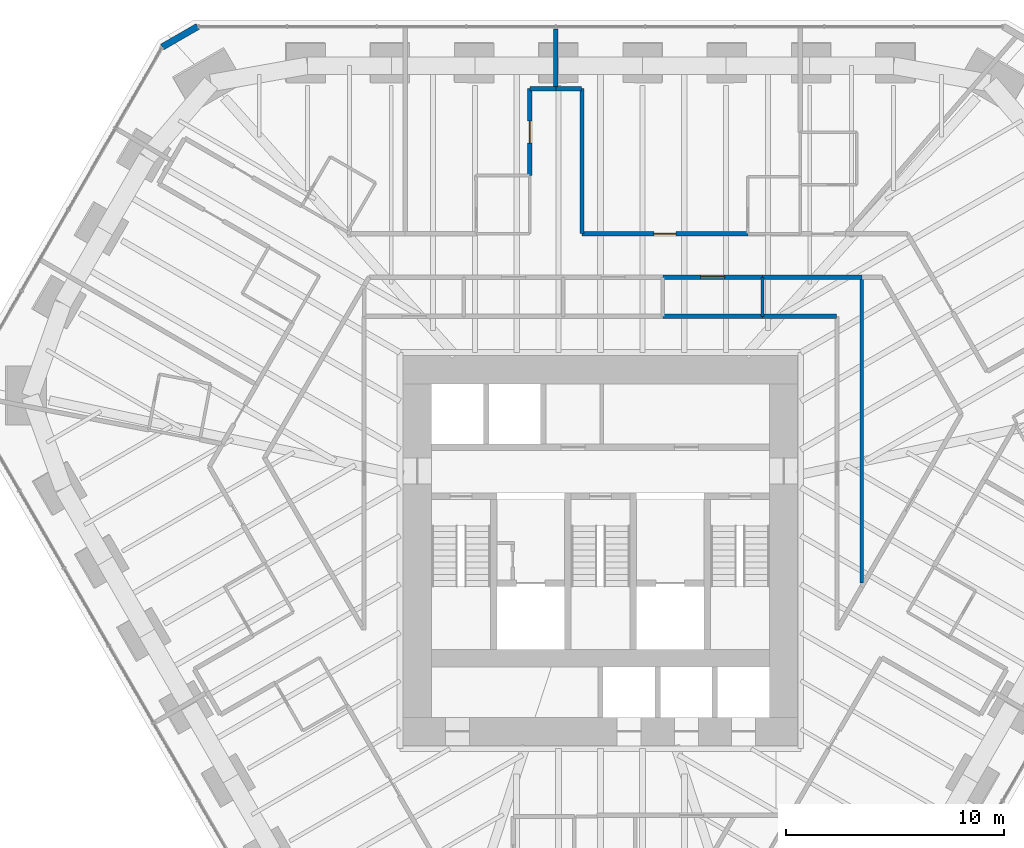
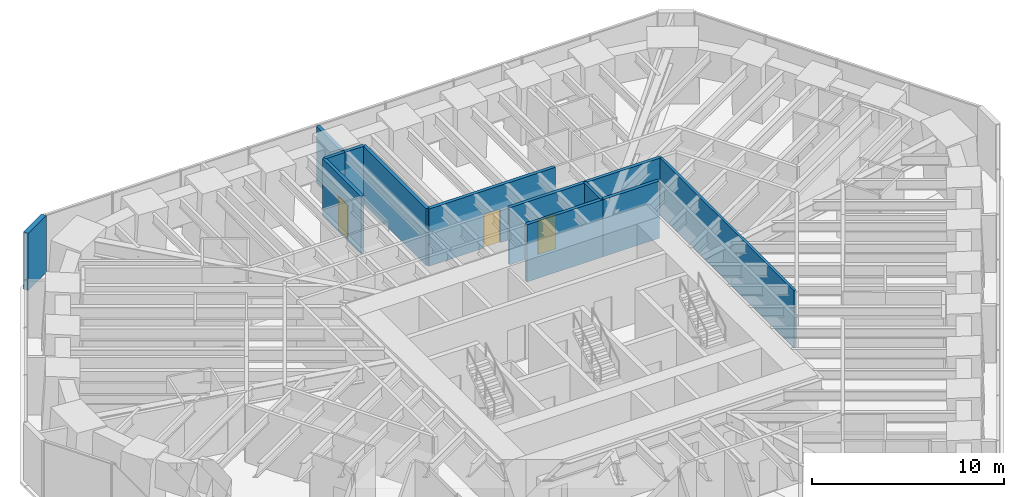
# One storey, part 15 of 18: 13 walls, 3 doors, 3 openings.
"""IFC4 building model written with IfcOpenShell, lengths in metres."""

from ifc_helpers import new_model, si_unit, direction, frame, frame_2d, origin, place, context, subcontext, project, spatial, rectangle, extrude, material, layer, layer_set, type_object, element, fill, save


model = new_model("IFC4")

# Units and contexts
model_context = context("Model", 3, precision=1e-05, world=origin(), true_north=direction((0.0, 1.0)))
body_context = subcontext(model_context, "Body", "Model", "MODEL_VIEW")
ifc_project = project(units=[si_unit("LENGTHUNIT", "METRE"), si_unit("AREAUNIT", "SQUARE_METRE"), si_unit("VOLUMEUNIT", "CUBIC_METRE"), si_unit("PLANEANGLEUNIT", "RADIAN"), si_unit("MASSUNIT", "GRAM", prefix="KILO")], contexts=[model_context])

# Site, building, storey
site_placement = place(None, origin())
site = spatial("IfcSite", under=ifc_project, at=site_placement, CompositionType="ELEMENT")
building_placement = place(site_placement, origin())
building = spatial("IfcBuilding", under=site, at=building_placement, Name="Sandreach Pilgrim Tower", CompositionType="ELEMENT")
storey_placement = place(building_placement, frame((0.0, 0.0, 157.60009765625)))
storey = spatial("IfcBuildingStorey", under=building, at=storey_placement, Name="L39", CompositionType="ELEMENT", Elevation=157.60009765625)

# Walls
ifc_material_1 = material(Name="Gypsum board on steel studs", Category="steel")
ifc_layer_1 = layer(ifc_material_1, 0.14990234375)
ifc_layer_set_1 = layer_set([ifc_layer_1], Name="Back of house wall 150")
wall_type_1 = type_object("IfcWallType", Name="Back of house wall 150", PredefinedType="PARTITIONING", material=ifc_layer_set_1)
wall_1_placement = place(storey_placement, frame((7.429931640625, 10.989990234375, 0.0), z_axis=(0.0, 0.0, 1.0), x_axis=(0.0, -1.0, 0.0)))
element("IfcWall", 1, at=wall_1_placement, inside=storey, type_object=wall_type_1, Name="Back of house wall L39-101", PredefinedType="PARTITIONING", context=body_context, shape_type="SweptSolid", body=[
    extrude(rectangle(XDim=1.7900390625, YDim=0.14990234375, at=frame_2d((0.89501953125, 0.0))), origin(), (0.0, 0.0, 1.0), 3.639892578125),
])
wall_2_placement = place(storey_placement, frame((11.989990234375, 10.989990234375, 0.0), z_axis=(0.0, 0.0, 1.0), x_axis=(0.0, -1.0, 0.0)))
element("IfcWall", 2, at=wall_2_placement, inside=storey, type_object=wall_type_1, Name="Back of house wall L39-127", PredefinedType="PARTITIONING", context=body_context, shape_type="SweptSolid", body=[
    extrude(rectangle(XDim=14.034912109375, YDim=0.14990234375, at=frame_2d((7.017578125, 0.0))), origin(), (0.0, 0.0, 1.0), 3.639892578125),
])

# Wall, opening, door
ifc_material_2 = material(Name="Gypsum board on steel studs, two layers each side", Category="steel")
ifc_layer_2 = layer(ifc_material_2, 0.199951171875)
ifc_layer_set_2 = layer_set([ifc_layer_2], Name="Corridor wall 200")
wall_type_2 = type_object("IfcWallType", Name="Corridor wall 200", PredefinedType="PARTITIONING", material=ifc_layer_set_2)
wall_3_placement = place(storey_placement, frame((-3.25, 19.639892578125, 0.0), z_axis=(0.0, 0.0, 1.0), x_axis=(0.0, -1.0, 0.0)))
wall_3 = element("IfcWall", 3, at=wall_3_placement, inside=storey, type_object=wall_type_2, Name="Corridor wall L39-069", PredefinedType="PARTITIONING", context=body_context, shape_type="SweptSolid", body=[
    extrude(rectangle(XDim=3.97998046875, YDim=0.199951171875, at=frame_2d((1.989990234375, 0.0))), origin(), (0.0, 0.0, 1.0), 3.639892578125),
])
opening_1_placement = place(wall_3_placement, frame((1.489990234375, 0.0, 0.0)))
opening_1 = element("IfcOpeningElement", 4, at=opening_1_placement, cuts=wall_3, Name="Opening D10-02", PredefinedType="OPENING", context=body_context, shape_type="SweptSolid", body=[
    extrude(rectangle(XDim=1.0, YDim=2.1298828125, at=frame_2d((0.5, 1.06494140625))), frame((0.0, 0.10009765625, 0.0), z_axis=(0.0, -1.0, 0.0), x_axis=(1.0, 0.0, 0.0)), (0.0, 0.0, 1.0), 0.199951171875),
])
ifc_material_3 = material(Name="Steel door and frame", Category="steel")
door_type_1 = type_object("IfcDoorType", Name="Guest room entry door", OperationType="SINGLE_SWING_LEFT", PredefinedType="DOOR", material=ifc_material_3)
door_1_placement = place(opening_1_placement, origin())
door_1 = element("IfcDoor", 5, at=door_1_placement, inside=storey, type_object=door_type_1, Name="Door 3902", OperationType="SINGLE_SWING_LEFT", OverallHeight=2.1298828125, OverallWidth=1.0, PredefinedType="DOOR", context=body_context, shape_type="SweptSolid", body=[
    extrude(rectangle(XDim=1.0, YDim=2.1298828125, at=frame_2d((0.5, 1.06494140625))), frame((0.0, 0.02490234375, 0.0), z_axis=(0.0, -1.0, 0.0), x_axis=(1.0, 0.0, 0.0)), (0.0, 0.0, 1.0), 0.050048828125),
])
fill(opening_1, door_1)

# Walls
for number, where, z_axis, x_axis, name in (
    (6, (-2.050048828125, 19.639892578125, 0.0), (0.0, 0.0, 1.0), (-1.0, 0.0, 0.0), "Corridor wall L39-072"),
    (7, (-0.864990234375, 19.639892578125, 0.0), (0.0, 0.0, 1.0), (-1.0, 0.0, 0.0), "Corridor wall L39-080"),
):
    element("IfcWall", number, at=place(storey_placement, frame(where, z_axis=z_axis, x_axis=x_axis)), inside=storey, type_object=wall_type_2, Name=name, PredefinedType="PARTITIONING", context=body_context, shape_type="SweptSolid", body=[
        extrude(rectangle(XDim=1.18505859375, YDim=0.199951171875, at=frame_2d((0.592529296875, 0.0))), origin(), (0.0, 0.0, 1.0), 3.639892578125),
    ])
wall_4_placement = place(storey_placement, frame((-0.85009765625, 13.0, 0.0), z_axis=(0.0, 0.0, 1.0), x_axis=(0.0, 1.0, 0.0)))
element("IfcWall", 8, at=wall_4_placement, inside=storey, type_object=wall_type_2, Name="Corridor wall L39-081", PredefinedType="PARTITIONING", context=body_context, shape_type="SweptSolid", body=[
    extrude(rectangle(XDim=6.639892578125, YDim=0.199951171875, at=frame_2d((3.31982421875, 0.0))), origin(), (0.0, 0.0, 1.0), 3.639892578125),
])

# Wall, opening, door
wall_5_placement = place(storey_placement, frame((2.860107421875, 10.989990234375, 0.0), z_axis=(0.0, 0.0, 1.0), x_axis=(1.0, 0.0, 0.0)))
wall_5 = element("IfcWall", 9, at=wall_5_placement, inside=storey, type_object=wall_type_2, Name="Corridor wall L39-086", PredefinedType="PARTITIONING", context=body_context, shape_type="SweptSolid", body=[
    extrude(rectangle(XDim=4.56982421875, YDim=0.199951171875, at=frame_2d((2.284912109375, 0.0))), origin(), (0.0, 0.0, 1.0), 3.639892578125),
])
opening_2_placement = place(wall_5_placement, frame((1.735107421875, 0.0, 0.0)))
opening_2 = element("IfcOpeningElement", 10, at=opening_2_placement, cuts=wall_5, Name="Opening D11H-M05", PredefinedType="OPENING", context=body_context, shape_type="SweptSolid", body=[
    extrude(rectangle(XDim=1.10009765625, YDim=2.199951171875, at=frame_2d((0.550048828125, 1.10009765625))), frame((0.0, 0.10009765625, 0.0), z_axis=(0.0, -1.0, 0.0), x_axis=(1.0, 0.0, 0.0)), (0.0, 0.0, 1.0), 0.199951171875),
])
ifc_material_4 = material(Name="Steel door and frame", Category="steel")
door_type_2 = type_object("IfcDoorType", Name="Back of house door", OperationType="SINGLE_SWING_LEFT", PredefinedType="DOOR", material=ifc_material_4)
door_2_placement = place(opening_2_placement, origin())
door_2 = element("IfcDoor", 11, at=door_2_placement, inside=storey, type_object=door_type_2, Name="Door 39M05", OperationType="SINGLE_SWING_LEFT", OverallHeight=2.199951171875, OverallWidth=1.10009765625, PredefinedType="DOOR", context=body_context, shape_type="SweptSolid", body=[
    extrude(rectangle(XDim=1.10009765625, YDim=2.199951171875, at=frame_2d((0.550048828125, 1.10009765625))), frame((0.0, 0.02490234375, 0.0), z_axis=(0.0, -1.0, 0.0), x_axis=(1.0, 0.0, 0.0)), (0.0, 0.0, 1.0), 0.050048828125),
])
fill(opening_2, door_2)

wall_6_placement = place(storey_placement, frame((6.760009765625, 12.989990234375, 0.0), z_axis=(0.0, 0.0, 1.0), x_axis=(-1.0, 0.0, 0.0)))
wall_6 = element("IfcWall", 12, at=wall_6_placement, inside=storey, type_object=wall_type_2, Name="Corridor wall L39-094", PredefinedType="PARTITIONING", context=body_context, shape_type="SweptSolid", body=[
    extrude(rectangle(XDim=7.610107421875, YDim=0.199951171875, at=frame_2d((3.80517578125, 0.0))), origin(), (0.0, 0.0, 1.0), 3.639892578125),
])
opening_3_placement = place(wall_6_placement, frame((3.304931640625, 0.0, 0.0)))
opening_3 = element("IfcOpeningElement", 13, at=opening_3_placement, cuts=wall_6, Name="Opening D10-03", PredefinedType="OPENING", context=body_context, shape_type="SweptSolid", body=[
    extrude(rectangle(XDim=1.0, YDim=2.1298828125, at=frame_2d((0.5, 1.06494140625))), frame((0.0, 0.10009765625, 0.0), z_axis=(0.0, -1.0, 0.0), x_axis=(1.0, 0.0, 0.0)), (0.0, 0.0, 1.0), 0.199951171875),
])
door_3_placement = place(opening_3_placement, origin())
door_3 = element("IfcDoor", 14, at=door_3_placement, inside=storey, type_object=door_type_1, Name="Door 3903", OperationType="SINGLE_SWING_LEFT", OverallHeight=2.1298828125, OverallWidth=1.0, PredefinedType="DOOR", context=body_context, shape_type="SweptSolid", body=[
    extrude(rectangle(XDim=1.0, YDim=2.1298828125, at=frame_2d((0.5, 1.06494140625))), frame((0.0, 0.02490234375, 0.0), z_axis=(0.0, -1.0, 0.0), x_axis=(1.0, 0.0, 0.0)), (0.0, 0.0, 1.0), 0.050048828125),
])
fill(opening_3, door_3)

# Walls
wall_7_placement = place(storey_placement, frame((7.429931640625, 9.199951171875, 0.0), z_axis=(0.0, 0.0, 1.0), x_axis=(-1.0, 0.0, 0.0)))
element("IfcWall", 15, at=wall_7_placement, inside=storey, type_object=wall_type_2, Name="Corridor wall L39-100", PredefinedType="PARTITIONING", context=body_context, shape_type="SweptSolid", body=[
    extrude(rectangle(XDim=4.56982421875, YDim=0.199951171875, at=frame_2d((2.284912109375, 0.0))), origin(), (0.0, 0.0, 1.0), 3.639892578125),
])
wall_8_placement = place(storey_placement, frame((7.429931640625, 10.989990234375, 0.0), z_axis=(0.0, 0.0, 1.0), x_axis=(1.0, 0.0, 0.0)))
element("IfcWall", 16, at=wall_8_placement, inside=storey, type_object=wall_type_2, Name="Corridor wall L39-102", PredefinedType="PARTITIONING", context=body_context, shape_type="SweptSolid", body=[
    extrude(rectangle(XDim=4.56005859375, YDim=0.199951171875, at=frame_2d((2.280029296875, 0.0))), origin(), (0.0, 0.0, 1.0), 3.639892578125),
])
wall_9_placement = place(storey_placement, frame((10.840087890625, 9.199951171875, 0.0), z_axis=(0.0, 0.0, 1.0), x_axis=(-1.0, 0.0, 0.0)))
element("IfcWall", 17, at=wall_9_placement, inside=storey, type_object=wall_type_2, Name="Corridor wall L39-120", PredefinedType="PARTITIONING", context=body_context, shape_type="SweptSolid", body=[
    extrude(rectangle(XDim=3.41015625, YDim=0.199951171875, at=frame_2d((1.705078125, 0.0))), origin(), (0.0, 0.0, 1.0), 3.639892578125),
])
ifc_material_5 = material(Name="Double steel stud acoustic wall, gypsum board", Category="steel")
ifc_layer_3 = layer(ifc_material_5, 0.199951171875)
ifc_layer_set_3 = layer_set([ifc_layer_3], Name="Party wall 200")
wall_type_3 = type_object("IfcWallType", Name="Party wall 200", PredefinedType="PARTITIONING", material=ifc_layer_set_3)
wall_10_placement = place(storey_placement, frame((-2.050048828125, 22.3701171875, 0.0), z_axis=(0.0, 0.0, 1.0), x_axis=(0.0, -1.0, 0.0)))
element("IfcWall", 18, at=wall_10_placement, inside=storey, type_object=wall_type_3, Name="Party wall L39-073", PredefinedType="PARTITIONING", context=body_context, shape_type="SweptSolid", body=[
    extrude(rectangle(XDim=2.715087890625, YDim=0.199951171875, at=frame_2d((1.357421875, 0.0))), origin(), (0.0, 0.0, 1.0), 3.639892578125),
])
ifc_material_6 = material(Name="Terracotta rainscreen on concrete", Category="masonry")
ifc_layer_4 = layer(ifc_material_6, 0.300048828125)
ifc_layer_set_4 = layer_set([ifc_layer_4], Name="Terracotta chamfer pier")
wall_type_4 = type_object("IfcWallType", Name="Terracotta chamfer pier", PredefinedType="SOLIDWALL", material=ifc_layer_set_4)
wall_11_placement = place(storey_placement, frame((-20.109619140625, 21.5537109375, 0.0), z_axis=(0.0, 0.0, 1.0), x_axis=(0.865988793993, 0.500063404658, 0.0)))
element("IfcWall", 19, at=wall_11_placement, inside=storey, type_object=wall_type_4, Name="Chamfer pier L39 NW", PredefinedType="SOLIDWALL", context=body_context, shape_type="SweptSolid", body=[
    extrude(rectangle(XDim=1.880126953125, YDim=0.300048828125, at=frame_2d((0.93994140625, 0.0))), origin(), (0.0, 0.0, 1.0), 3.639892578125),
])

save(model, "model.ifc")
